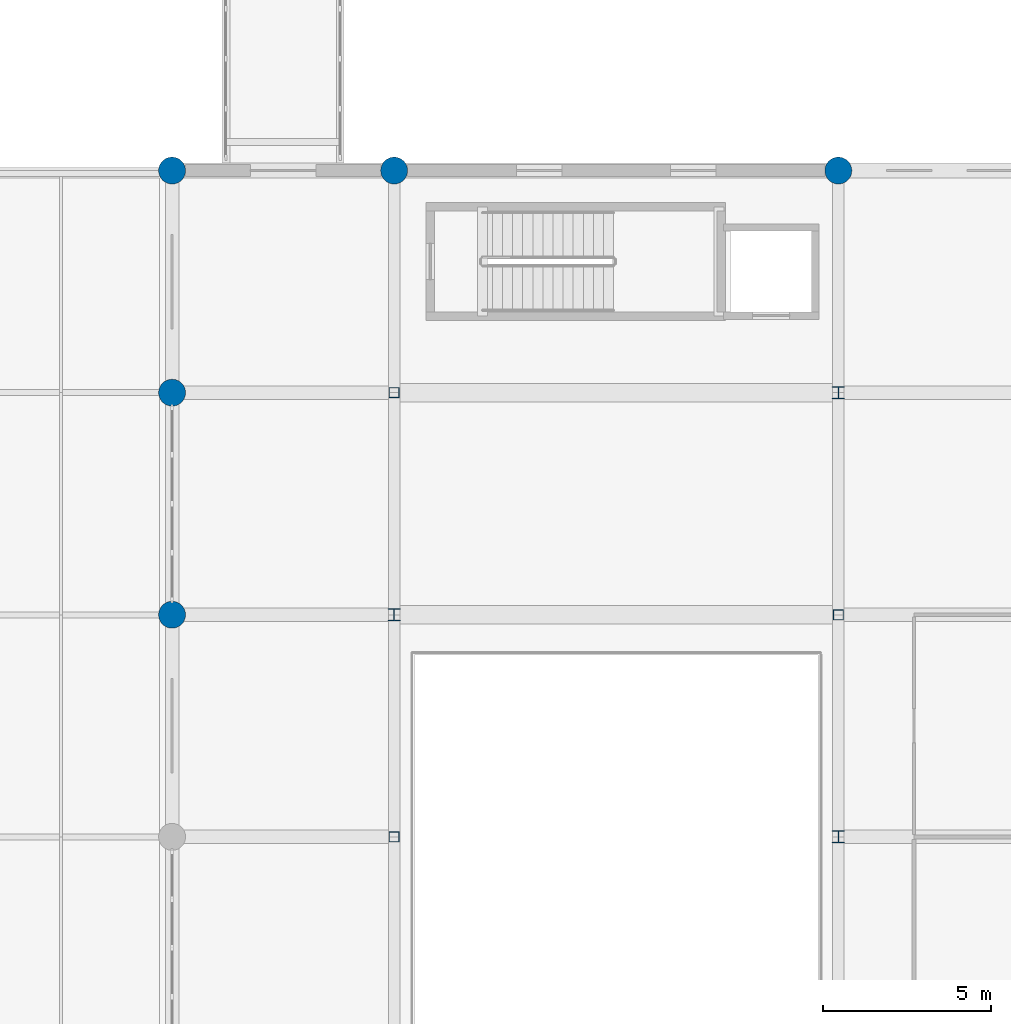
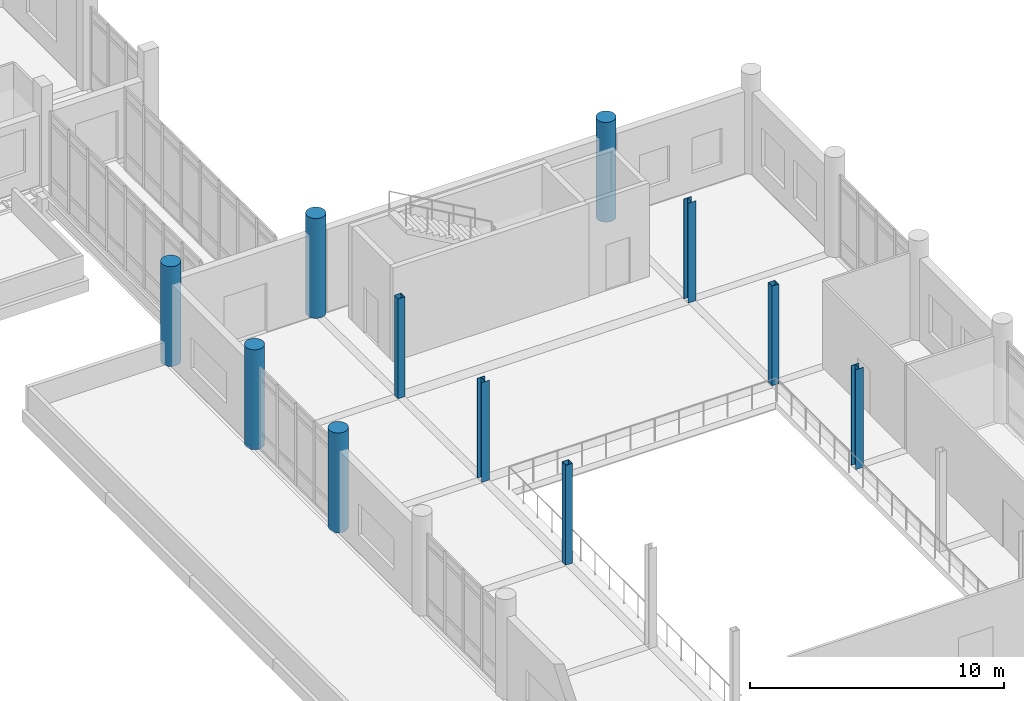
# One storey, part 6 of 125: 11 columns.
"""IFC4 building model written with IfcOpenShell, lengths in metres."""

import ifcopenshell
import ifcopenshell.guid

model = None  # the IFC model being written
_history = None  # IfcOwnerHistory: only IFC2X3 demands one
_inside = {}  # id of a spatial element -> (the spatial element, [elements in it])
_under = {}  # id of a project, library or spatial element -> (it, [spatial elements below it])
_declared = {}  # id of a project -> (the project, [libraries it declares])
_typed = {}  # id of a type object -> (the type object, [elements of that type])
_made_of = {}  # id of a material, layer set ... -> (it, [elements and type objects made of it])


def new_model(schema):
    """Start an empty IFC model of exactly this schema.

    Asked for "IFC4X3", IfcOpenShell would pick the latest addendum, in which some entities
    have other attributes; the version numbers below select the first issue.
    IFC2X3 requires an IfcOwnerHistory on every rooted entity: one is made here for all.
    """
    global model, _history
    if schema == "IFC4X3":
        model = ifcopenshell.file(schema_version=(4, 3, 0, 0))
    else:
        model = ifcopenshell.file(schema=schema)
    _inside.clear()
    _under.clear()
    _declared.clear()
    _typed.clear()
    _made_of.clear()
    _history = None
    if model.schema == "IFC2X3":
        org = make("IfcOrganization", Name="unknown")
        user = make(
            "IfcPersonAndOrganization",
            ThePerson=make("IfcPerson", FamilyName="unknown"),
            TheOrganization=org,
        )
        app = make(
            "IfcApplication",
            ApplicationDeveloper=org,
            Version="unknown",
            ApplicationFullName="unknown",
            ApplicationIdentifier="unknown",
        )
        _history = make(
            "IfcOwnerHistory",
            OwningUser=user,
            OwningApplication=app,
            ChangeAction="ADDED",
            CreationDate=0,
        )
    return model


def make(cls, **values):
    """One entity of the class cls with the attributes given. An attribute that is None is left unset."""
    return model.create_entity(
        cls, **{name: value for name, value in values.items() if value is not None}
    )


def rooted(cls, **values):
    """An entity with a GlobalId (a new one), such as an element, a storey or a relation."""
    return make(cls, GlobalId=ifcopenshell.guid.new(), OwnerHistory=_history, **values)


def si_unit(unit_type, name, prefix=None):
    """IfcSIUnit, for example si_unit("LENGTHUNIT", "METRE", prefix="MILLI")."""
    return make("IfcSIUnit", UnitType=unit_type, Prefix=prefix, Name=name)


def assignment(units):
    """IfcUnitAssignment: the units of a project."""
    return None if units is None else make("IfcUnitAssignment", Units=units)


def point(xyz):
    """IfcCartesianPoint."""
    return None if xyz is None else make("IfcCartesianPoint", Coordinates=xyz)


def direction(xyz):
    """IfcDirection."""
    return None if xyz is None else make("IfcDirection", DirectionRatios=xyz)


def frame(location, z_axis=None, x_axis=None):
    """IfcAxis2Placement3D, a coordinate frame: its origin and axes. An axis left out is left unset."""
    return make(
        "IfcAxis2Placement3D",
        Location=point(location),
        Axis=direction(z_axis),
        RefDirection=direction(x_axis),
    )


def frame_2d(location, x_axis=None):
    """IfcAxis2Placement2D, a coordinate frame in the plane: its origin and x axis."""
    return make(
        "IfcAxis2Placement2D", Location=point(location), RefDirection=direction(x_axis)
    )


def origin():
    """The frame at (0, 0, 0) with its axes left unset."""
    return frame((0.0, 0.0, 0.0))


def origin_2d():
    """The frame at (0, 0) in the plane with its x axis left unset."""
    return frame_2d((0.0, 0.0))


def place(relative_to, where):
    """IfcLocalPlacement: puts the frame where relative to a parent placement (None: the world)."""
    return make(
        "IfcLocalPlacement", PlacementRelTo=relative_to, RelativePlacement=where
    )


def context(
    kind, dimensions, precision=None, world=None, true_north=None, identifier=None
):
    """IfcGeometricRepresentationContext, for example the 3D "Model" context."""
    return make(
        "IfcGeometricRepresentationContext",
        ContextIdentifier=identifier,
        ContextType=kind,
        CoordinateSpaceDimension=dimensions,
        Precision=precision,
        WorldCoordinateSystem=world,
        TrueNorth=true_north,
    )


def subcontext(parent, identifier, kind, view, scale=None):
    """IfcGeometricRepresentationSubContext, for example "Body" below "Model"."""
    return make(
        "IfcGeometricRepresentationSubContext",
        ContextIdentifier=identifier,
        ContextType=kind,
        ParentContext=parent,
        TargetScale=scale,
        TargetView=view,
    )


def project(units=None, contexts=None):
    """IfcProject with its units and contexts."""
    return rooted(
        "IfcProject",
        Name="project",
        RepresentationContexts=contexts,
        UnitsInContext=assignment(units),
    )


def spatial(cls, under=None, at=None, **own):
    """A site, building, storey or space (cls), placed at a placement, below another one or the project."""
    s = rooted(cls, ObjectPlacement=at, **own)
    if under is not None:
        _under.setdefault(under.id(), (under, []))[1].append(s)
    return s


def profile(cls, at=None, kind="AREA", **sizes):
    """A parametric profile (cls). Its sizes go by their IFC names, for example OverallWidth=200.0."""
    return make(cls, ProfileType=kind, Position=at, **sizes)


def hollow_rectangle(**sizes):
    """IfcRectangleHollowProfileDef."""
    return profile("IfcRectangleHollowProfileDef", **sizes)


def circle(**sizes):
    """IfcCircleProfileDef."""
    return profile("IfcCircleProfileDef", **sizes)


def i_section(**sizes):
    """IfcIShapeProfileDef."""
    return profile("IfcIShapeProfileDef", **sizes)


def extrude(swept, where, along, depth):
    """IfcExtrudedAreaSolid: the profile swept, set in the frame where, extruded along a direction by depth."""
    return make(
        "IfcExtrudedAreaSolid",
        SweptArea=swept,
        Position=where,
        ExtrudedDirection=direction(along),
        Depth=depth,
    )


def shape(context_of_items, identifier, shape_type, items):
    """IfcShapeRepresentation: the items that make up one representation, for example the "Body"."""
    return make(
        "IfcShapeRepresentation",
        ContextOfItems=context_of_items,
        RepresentationIdentifier=identifier,
        RepresentationType=shape_type,
        Items=items,
    )


def material(Name=None, Category=None):
    """IfcMaterial."""
    return make("IfcMaterial", Name=Name, Category=Category)


def material_profile(
    of_material, cross_section, Name=None, Category=None, Priority=None
):
    """IfcMaterialProfile: a cross section and its material."""
    return make(
        "IfcMaterialProfile",
        Name=Name,
        Material=of_material,
        Profile=cross_section,
        Priority=Priority,
        Category=Category,
    )


def profile_set(profiles, Name=None, composite=None):
    """IfcMaterialProfileSet."""
    return make(
        "IfcMaterialProfileSet",
        Name=Name,
        MaterialProfiles=profiles,
        CompositeProfile=composite,
    )


def made_of(thing, what):
    """Note that an element or type object is made of a material, layer set ...; save() writes the relation."""
    if what is not None:
        _made_of.setdefault(what.id(), (what, []))[1].append(thing)
    return thing


def type_object(cls, material=None, **own):
    """A type object (cls), such as IfcWallType, which elements share."""
    return made_of(rooted(cls, **own), material)


def element(
    cls,
    number,
    at=None,
    inside=None,
    cuts=None,
    type_object=None,
    material=None,
    context=None,
    identifier="Body",
    shape_type=None,
    held_by="IfcProductDefinitionShape",
    body=None,
    shapes=None,
    **own,
):
    """One element of the class cls, such as IfcWall. Its Tag is "e" and its number.

    at: its placement. inside: the storey or other place that contains it. cuts: it is an
    opening in that element (IfcRelVoidsElement). A single representation is given by context,
    identifier, shape_type and body (its items); several are given by shapes. held_by: the class
    of the entity that holds the representations. save() writes the other relations.
    """
    e = rooted(cls, Tag="e%d" % number, ObjectPlacement=at, **own)
    if body is not None:
        shapes = [shape(context, identifier, shape_type, body)]
    if shapes is not None:
        e.Representation = make(held_by, Representations=shapes)
    if inside is not None:
        _inside.setdefault(inside.id(), (inside, []))[1].append(e)
    if cuts is not None:
        rooted(
            "IfcRelVoidsElement", RelatingBuildingElement=cuts, RelatedOpeningElement=e
        )
    if type_object is not None:
        _typed.setdefault(type_object.id(), (type_object, []))[1].append(e)
    return made_of(e, material)


def aggregate(whole, parts):
    """IfcRelAggregates: a whole, such as a stair, and the parts it consists of."""
    return rooted("IfcRelAggregates", RelatingObject=whole, RelatedObjects=parts)


def save(model, path):
    """Write the relations noted so far, then the file.

    IfcRelAggregates (storeys below a building ...), IfcRelContainedInSpatialStructure (elements
    in a storey), IfcRelDefinesByType, IfcRelAssociatesMaterial and IfcRelDeclares: one each for
    every whole, place, type object, material and project.
    """
    for whole, parts in _under.values():
        aggregate(whole, parts)
    for where, things in _inside.values():
        rooted(
            "IfcRelContainedInSpatialStructure",
            RelatedElements=things,
            RelatingStructure=where,
        )
    for kind, things in _typed.values():
        rooted("IfcRelDefinesByType", RelatedObjects=things, RelatingType=kind)
    for what, things in _made_of.values():
        rooted("IfcRelAssociatesMaterial", RelatedObjects=things, RelatingMaterial=what)
    for by, libraries in _declared.values():
        rooted("IfcRelDeclares", RelatingContext=by, RelatedDefinitions=libraries)
    model.write(path)


model = new_model("IFC4")

# Units and contexts
model_context = context("Model", 3, precision=1e-05, world=origin(), true_north=direction((0.0, 1.0)))
body_context = subcontext(model_context, "Body", "Model", "MODEL_VIEW")
ifc_project = project(units=[si_unit("LENGTHUNIT", "METRE"), si_unit("AREAUNIT", "SQUARE_METRE"), si_unit("VOLUMEUNIT", "CUBIC_METRE"), si_unit("PLANEANGLEUNIT", "RADIAN"), si_unit("MASSUNIT", "GRAM", prefix="KILO")], contexts=[model_context])

# Site, building, storey
site_placement = place(None, origin())
site = spatial("IfcSite", under=ifc_project, at=site_placement, CompositionType="ELEMENT")
building_placement = place(site_placement, origin())
building = spatial("IfcBuilding", under=site, at=building_placement, Name="Dornvale Research Institute", CompositionType="ELEMENT")
storey_placement = place(building_placement, frame((0.0, 0.0, 5.39990234375)))
storey = spatial("IfcBuildingStorey", under=building, at=storey_placement, Name="L01", CompositionType="ELEMENT", Elevation=5.39990234375)

# Columns
ifc_material_1 = material(Name="Concrete f'c 45 MPa (C35/45)", Category="concrete")
ifc_material_profile_1 = material_profile(ifc_material_1, circle(Radius=0.39990234375, at=origin_2d()), Name="RC DIA 800")
ifc_profile_set_1 = profile_set([ifc_material_profile_1], Name="Concrete f'c 45 MPa (C35/45)")
column_type_1 = type_object("IfcColumnType", Name="Column_RCDia800_Ext", PredefinedType="COLUMN", material=ifc_profile_set_1)
for number, where, z_axis, x_axis, name in (
    (1, (39.60009765625, 72.60009765625, 0.0), (0.0, 0.0, 1.0), (1.0, 0.0, 0.0), "L01 column #1055"),
    (2, (39.60009765625, 79.199951171875, 0.0), (0.0, 0.0, 1.0), (1.0, 0.0, 0.0), "L01 column #1056"),
    (3, (39.60009765625, 85.800048828125, 0.0), (0.0, 0.0, 1.0), (1.0, 0.0, 0.0), "L01 column #1057"),
    (4, (46.199951171875, 85.800048828125, 0.0), (0.0, 0.0, 1.0), (1.0, 0.0, 0.0), "L01 column #1065"),
    (5, (59.39990234375, 85.800048828125, 0.0), (0.0, 0.0, 1.0), (1.0, 0.0, 0.0), "L01 column #1073"),
):
    element("IfcColumn", number, at=place(storey_placement, frame(where, z_axis=z_axis, x_axis=x_axis)), inside=storey, type_object=column_type_1, Name=name, PredefinedType="COLUMN", context=body_context, shape_type="SweptSolid", body=[
        extrude(circle(Radius=0.39990234375, at=origin_2d()), origin(), (0.0, 0.0, 1.0), 4.800048828125),
    ])
ifc_material_2 = material(Name="Steel ASTM A500 Grade C", Category="steel")
ifc_material_profile_2 = material_profile(ifc_material_2, hollow_rectangle(XDim=0.304931640625, YDim=0.304931640625, WallThickness=0.01171875, at=origin_2d()), Name="HSS305X305X12.7")
ifc_profile_set_2 = profile_set([ifc_material_profile_2], Name="Steel ASTM A500 Grade C")
column_type_2 = type_object("IfcColumnType", Name="Column_Steel_HSS305", PredefinedType="COLUMN", material=ifc_profile_set_2)
for number, where, z_axis, x_axis, name in (
    (6, (46.199951171875, 66.0, 0.0), (0.0, 0.0, 1.0), (1.0, 0.0, 0.0), "L01 column #1062"),
    (7, (46.199951171875, 79.199951171875, 0.0), (0.0, 0.0, 1.0), (1.0, 0.0, 0.0), "L01 column #1064"),
    (8, (59.39990234375, 72.60009765625, 0.0), (0.0, 0.0, 1.0), (1.0, 0.0, 0.0), "L01 column #1071"),
):
    element("IfcColumn", number, at=place(storey_placement, frame(where, z_axis=z_axis, x_axis=x_axis)), inside=storey, type_object=column_type_2, Name=name, PredefinedType="COLUMN", context=body_context, shape_type="SweptSolid", body=[
        extrude(hollow_rectangle(XDim=0.304931640625, YDim=0.304931640625, WallThickness=0.01171875, at=origin_2d()), origin(), (0.0, 0.0, 1.0), 4.800048828125),
    ])
ifc_material_3 = material(Name="Steel ASTM A992 Grade 50", Category="steel")
ifc_material_profile_3 = material_profile(ifc_material_3, i_section(OverallWidth=0.35595703125, OverallDepth=0.35595703125, WebThickness=0.01123046875, FlangeThickness=0.01806640625, at=origin_2d()), Name="W14X90")
ifc_profile_set_3 = profile_set([ifc_material_profile_3], Name="Steel ASTM A992 Grade 50")
column_type_3 = type_object("IfcColumnType", Name="Column_Steel_W14X90", PredefinedType="COLUMN", material=ifc_profile_set_3)
for number, where, z_axis, x_axis, name in (
    (9, (46.199951171875, 72.60009765625, 0.0), (0.0, 0.0, 1.0), (1.0, 0.0, 0.0), "L01 column #1063"),
    (10, (59.39990234375, 66.0, 0.0), (0.0, 0.0, 1.0), (1.0, 0.0, 0.0), "L01 column #1070"),
    (11, (59.39990234375, 79.199951171875, 0.0), (0.0, 0.0, 1.0), (1.0, 0.0, 0.0), "L01 column #1072"),
):
    element("IfcColumn", number, at=place(storey_placement, frame(where, z_axis=z_axis, x_axis=x_axis)), inside=storey, type_object=column_type_3, Name=name, PredefinedType="COLUMN", context=body_context, shape_type="SweptSolid", body=[
        extrude(i_section(OverallWidth=0.35595703125, OverallDepth=0.35595703125, WebThickness=0.01123046875, FlangeThickness=0.01806640625, at=origin_2d()), origin(), (0.0, 0.0, 1.0), 4.800048828125),
    ])

save(model, "model.ifc")
